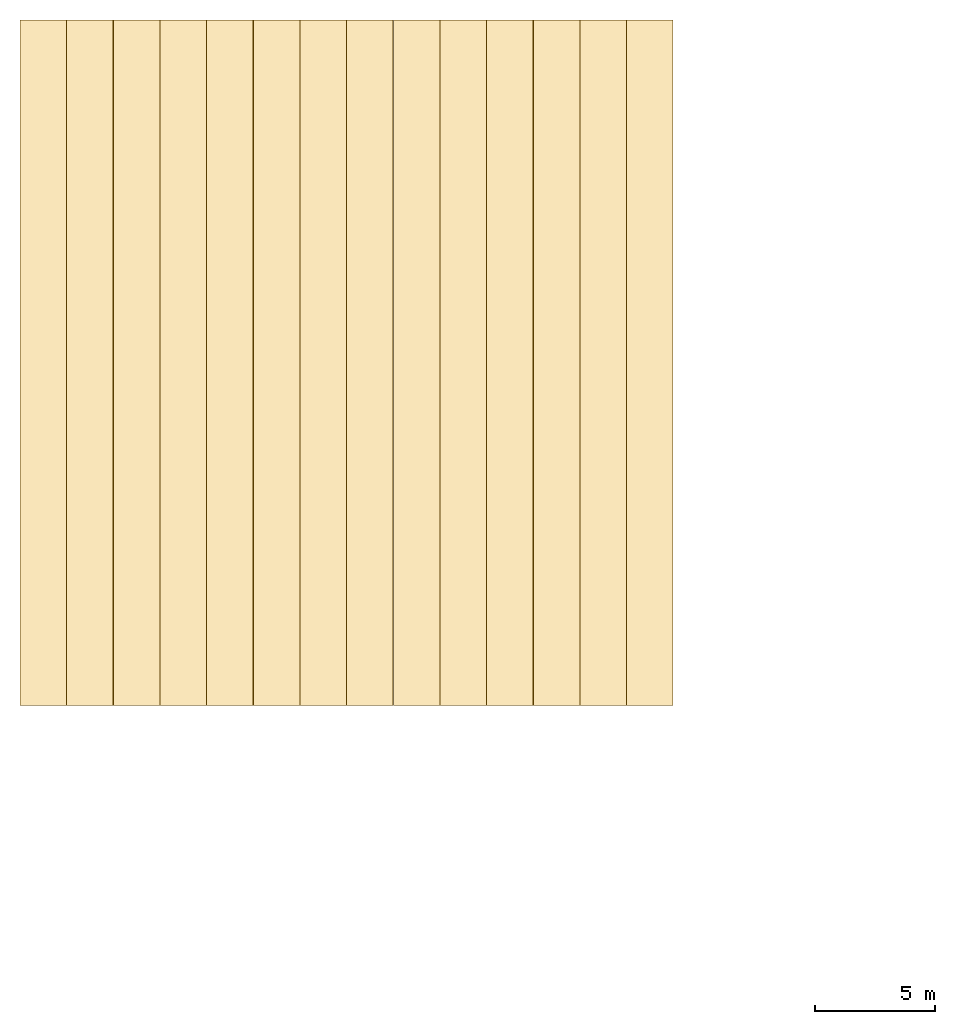
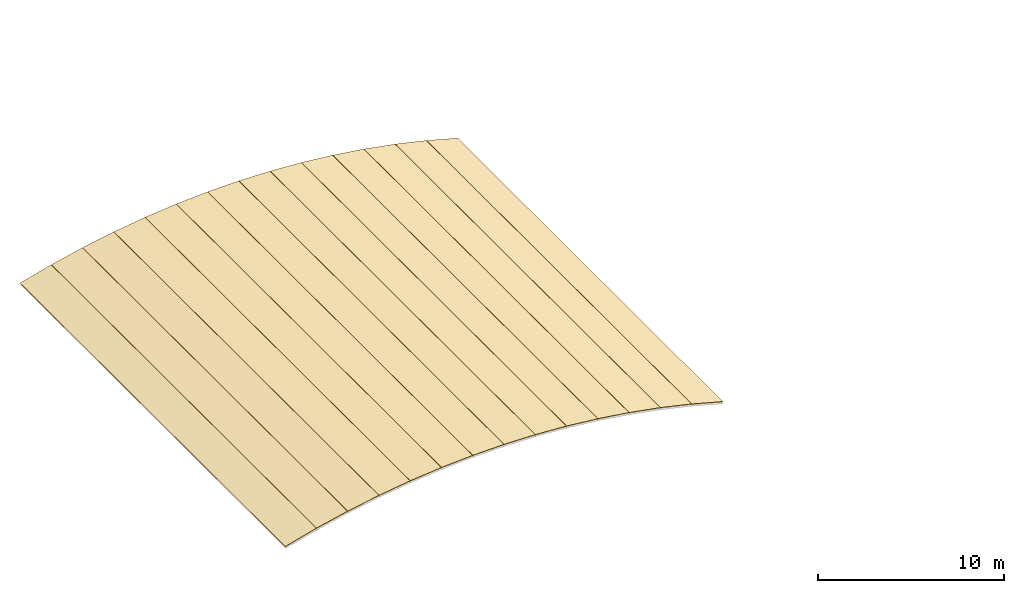
# One storey, part 2 of 2: 14 coverings.
"""IFC4 building model written with IfcOpenShell, lengths in metres."""

from ifc_helpers import new_model, si_unit, direction, frame, origin, place, context, subcontext, project, spatial, polyline, outline, extrude, material, layer, layer_set, type_object, element, save


model = new_model("IFC4")

# Units and contexts
model_context = context("Model", 3, precision=1e-05, world=origin(), true_north=direction((0.0, 1.0)))
body_context = subcontext(model_context, "Body", "Model", "MODEL_VIEW")
ifc_project = project(units=[si_unit("LENGTHUNIT", "METRE"), si_unit("AREAUNIT", "SQUARE_METRE"), si_unit("VOLUMEUNIT", "CUBIC_METRE"), si_unit("PLANEANGLEUNIT", "RADIAN"), si_unit("MASSUNIT", "GRAM", prefix="KILO")], contexts=[model_context])

# Site, building, storey
site_placement = place(None, origin())
site = spatial("IfcSite", under=ifc_project, at=site_placement, CompositionType="ELEMENT")
building_placement = place(site_placement, origin())
building = spatial("IfcBuilding", under=site, at=building_placement, Name="Elbe Cascade School", CompositionType="ELEMENT")
storey_placement = place(building_placement, frame((0.0, 0.0, 21.699951171875)))
storey = spatial("IfcBuildingStorey", under=building, at=storey_placement, Name="ROOF", CompositionType="ELEMENT", Elevation=21.699951171875)

# Coverings
ifc_material = material(Name="Standing seam roofing - zinc")
ifc_layer = layer(ifc_material, 0.030029296875)
ifc_layer_set = layer_set([ifc_layer], Name="Standing seam roofing - zinc")
covering_type = type_object("IfcCoveringType", Name="Hall roofing", PredefinedType="ROOFING", material=ifc_layer_set)
covering_1_placement = place(storey_placement, frame((20.425048828125, 41.0, 0.001953125), z_axis=(-0.261074796347, 0.0, 0.965318574727), x_axis=(0.965318574727, 0.0, 0.261074796347)))
element("IfcCovering", 1, at=covering_1_placement, inside=storey, type_object=covering_type, Name="Roofing 8", PredefinedType="ROOFING", context=body_context, shape_type="SweptSolid", body=[
    extrude(outline(polyline([(0.0, 0.0), (2.0030628236354193, 0.0), (2.0030628236354193, 28.5), (0.0, 28.5), (0.0, 0.0)])), origin(), (0.0, 0.0, -1.0), 0.030029296875),
])
covering_2_placement = place(storey_placement, frame((22.36474609375, 41.0, 0.5263671875), z_axis=(-0.220918477957, 0.0, 0.975292277267), x_axis=(0.975292277267, 0.0, 0.220918477957)))
element("IfcCovering", 2, at=covering_2_placement, inside=storey, type_object=covering_type, Name="Roofing 9", PredefinedType="ROOFING", context=body_context, shape_type="SweptSolid", body=[
    extrude(outline(polyline([(0.0, 0.0), (1.9825787562039983, 0.0), (1.9825787562039983, 28.5), (0.0, 28.5), (0.0, 0.0)])), origin(), (0.0, 0.0, -1.0), 0.030029296875),
])
covering_3_placement = place(storey_placement, frame((24.304443359375, 41.0, 0.965576171875), z_axis=(-0.180688295194, 0.0, 0.983540410954), x_axis=(0.983540410954, 0.0, 0.180688295194)))
element("IfcCovering", 3, at=covering_3_placement, inside=storey, type_object=covering_type, Name="Roofing 10", PredefinedType="ROOFING", context=body_context, shape_type="SweptSolid", body=[
    extrude(outline(polyline([(0.0, 0.0), (1.9659525205723265, 0.0), (1.9659525205723265, 28.499999999999996), (0.0, 28.499999999999996), (0.0, 0.0)])), origin(), (0.0, 0.0, -1.0), 0.030029296875),
])
covering_4_placement = place(storey_placement, frame((26.244140625, 41.0, 1.32177734375), z_axis=(-0.140633762416, 0.0, 0.990061687406), x_axis=(0.990061687406, 0.0, 0.140633762416)))
element("IfcCovering", 4, at=covering_4_placement, inside=storey, type_object=covering_type, Name="Roofing 11", PredefinedType="ROOFING", context=body_context, shape_type="SweptSolid", body=[
    extrude(outline(polyline([(0.0, 0.0), (1.9530033073660977, 0.0), (1.9530033073660977, 28.5), (0.0, 28.5), (0.0, 0.0)])), origin(), (0.0, 0.0, -1.0), 0.030029296875),
])
covering_5_placement = place(storey_placement, frame((28.183837890625, 41.0, 1.59716796875), z_axis=(-0.10037434902, 0.0, 0.994949742479), x_axis=(0.994949742479, 0.0, 0.10037434902)))
element("IfcCovering", 5, at=covering_5_placement, inside=storey, type_object=covering_type, Name="Roofing 12", PredefinedType="ROOFING", context=body_context, shape_type="SweptSolid", body=[
    extrude(outline(polyline([(0.0, 0.0), (1.943408463207958, 0.0), (1.943408463207958, 28.5), (0.0, 28.5), (0.0, 0.0)])), origin(), (0.0, 0.0, -1.0), 0.030029296875),
])
covering_6_placement = place(storey_placement, frame((30.12353515625, 41.0, 1.792724609375), z_axis=(-0.060236336379, 0.0, 0.998184143222), x_axis=(0.998184143222, 0.0, 0.060236336379)))
element("IfcCovering", 6, at=covering_6_placement, inside=storey, type_object=covering_type, Name="Roofing 13", PredefinedType="ROOFING", context=body_context, shape_type="SweptSolid", body=[
    extrude(outline(polyline([(0.0, 0.0), (1.9373558513793512, 0.0), (1.9373558513793512, 28.5), (0.0, 28.5), (0.0, 0.0)])), origin(), (0.0, 0.0, -1.0), 0.030029296875),
])
for number, where, z_axis, x_axis, name in (
    (7, (32.063232421875, 41.0, 1.90966796875), (-0.020069180205, 0.0, 0.999798593721), (0.999798593721, 0.0, 0.020069180205), "Roofing 14"),
    (8, (34.0029296875, 41.0, 1.948486328125), (0.020069180205, 0.0, 0.999798593721), (0.999798593721, 0.0, -0.020069180205), "Roofing 15"),
):
    element("IfcCovering", number, at=place(storey_placement, frame(where, z_axis=z_axis, x_axis=x_axis)), inside=storey, type_object=covering_type, Name=name, PredefinedType="ROOFING", context=body_context, shape_type="SweptSolid", body=[
        extrude(outline(polyline([(0.0, 0.0), (1.9342274561802488, 0.0), (1.9342274561802488, 28.499999999999996), (0.0, 28.499999999999996), (0.0, 0.0)])), origin(), (0.0, 0.0, -1.0), 0.030029296875),
    ])
covering_7_placement = place(storey_placement, frame((35.942626953125, 41.0, 1.909423828125), z_axis=(0.060236336379, 0.0, 0.998184143222), x_axis=(0.998184143222, 0.0, -0.060236336379)))
element("IfcCovering", 9, at=covering_7_placement, inside=storey, type_object=covering_type, Name="Roofing 16", PredefinedType="ROOFING", context=body_context, shape_type="SweptSolid", body=[
    extrude(outline(polyline([(0.0, 0.0), (1.9373558513793512, 0.0), (1.9373558513793512, 28.5), (0.0, 28.5), (0.0, 0.0)])), origin(), (0.0, 0.0, -1.0), 0.030029296875),
])
covering_8_placement = place(storey_placement, frame((37.882568359375, 41.0, 1.792236328125), z_axis=(0.10037434902, 0.0, 0.994949742479), x_axis=(0.994949742479, 0.0, -0.10037434902)))
element("IfcCovering", 10, at=covering_8_placement, inside=storey, type_object=covering_type, Name="Roofing 17", PredefinedType="ROOFING", context=body_context, shape_type="SweptSolid", body=[
    extrude(outline(polyline([(0.0, 0.0), (1.943408463207958, 0.0), (1.943408463207958, 28.5), (0.0, 28.5), (0.0, 0.0)])), origin(), (0.0, 0.0, -1.0), 0.030029296875),
])
covering_9_placement = place(storey_placement, frame((39.822265625, 41.0, 1.596435546875), z_axis=(0.140633762416, 0.0, 0.990061687406), x_axis=(0.990061687406, 0.0, -0.140633762416)))
element("IfcCovering", 11, at=covering_9_placement, inside=storey, type_object=covering_type, Name="Roofing 18", PredefinedType="ROOFING", context=body_context, shape_type="SweptSolid", body=[
    extrude(outline(polyline([(0.0, 0.0), (1.9530033073660977, 0.0), (1.9530033073660977, 28.5), (0.0, 28.5), (0.0, 0.0)])), origin(), (0.0, 0.0, -1.0), 0.030029296875),
])
covering_10_placement = place(storey_placement, frame((41.761962890625, 41.0, 1.32080078125), z_axis=(0.180688295194, 0.0, 0.983540410954), x_axis=(0.983540410954, 0.0, -0.180688295194)))
element("IfcCovering", 12, at=covering_10_placement, inside=storey, type_object=covering_type, Name="Roofing 19", PredefinedType="ROOFING", context=body_context, shape_type="SweptSolid", body=[
    extrude(outline(polyline([(0.0, 0.0), (1.9659525205723265, 0.0), (1.9659525205723265, 28.499999999999996), (0.0, 28.499999999999996), (0.0, 0.0)])), origin(), (0.0, 0.0, -1.0), 0.030029296875),
])
covering_11_placement = place(storey_placement, frame((43.70166015625, 41.0, 0.96435546875), z_axis=(0.220918477957, 0.0, 0.975292277267), x_axis=(0.975292277267, 0.0, -0.220918477957)))
element("IfcCovering", 13, at=covering_11_placement, inside=storey, type_object=covering_type, Name="Roofing 20", PredefinedType="ROOFING", context=body_context, shape_type="SweptSolid", body=[
    extrude(outline(polyline([(0.0, 0.0), (1.9825787562039983, 0.0), (1.9825787562039983, 28.5), (0.0, 28.5), (0.0, 0.0)])), origin(), (0.0, 0.0, -1.0), 0.030029296875),
])
covering_12_placement = place(storey_placement, frame((45.641357421875, 41.0, 0.52490234375), z_axis=(0.261074796347, 0.0, 0.965318574727), x_axis=(0.965318574727, 0.0, -0.261074796347)))
element("IfcCovering", 14, at=covering_12_placement, inside=storey, type_object=covering_type, Name="Roofing 21", PredefinedType="ROOFING", context=body_context, shape_type="SweptSolid", body=[
    extrude(outline(polyline([(0.0, 0.0), (2.0030628236354193, 0.0), (2.0030628236354193, 28.5), (0.0, 28.5), (0.0, 0.0)])), origin(), (0.0, 0.0, -1.0), 0.030029296875),
])

save(model, "model.ifc")
